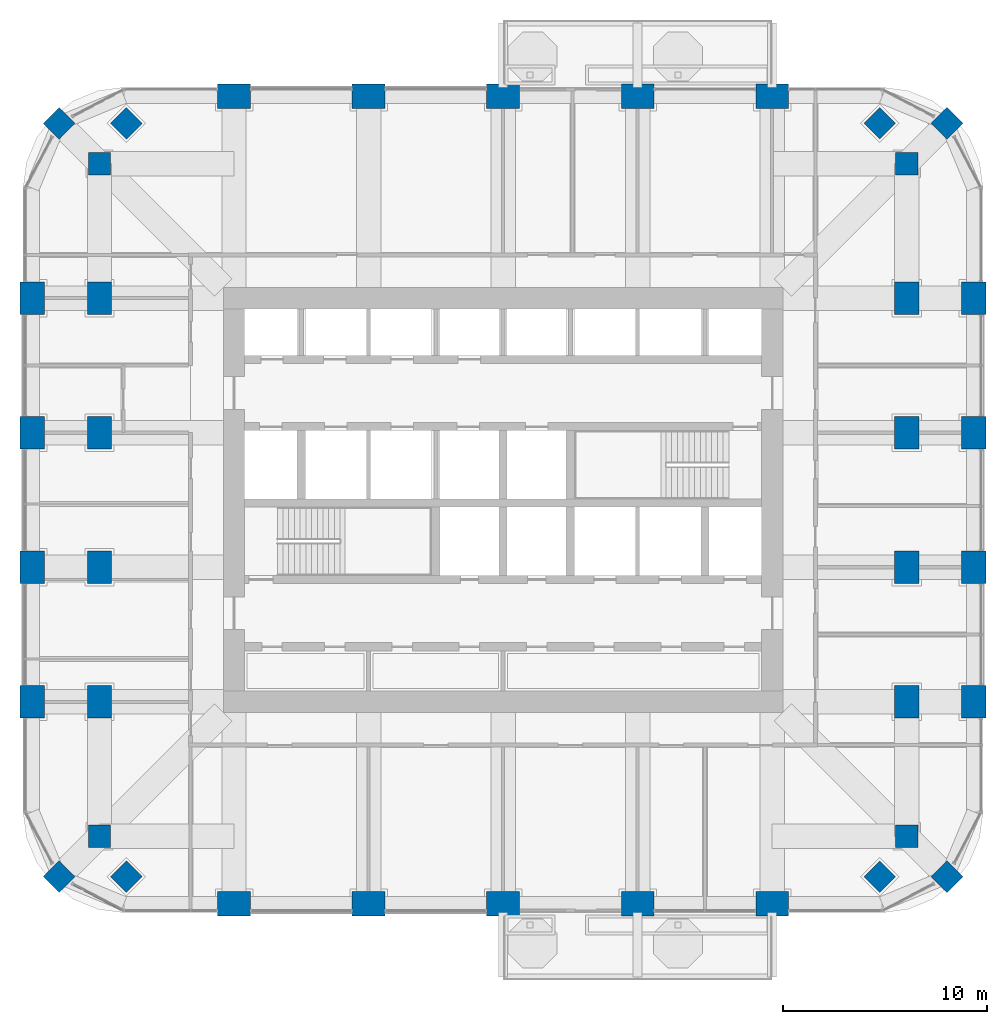
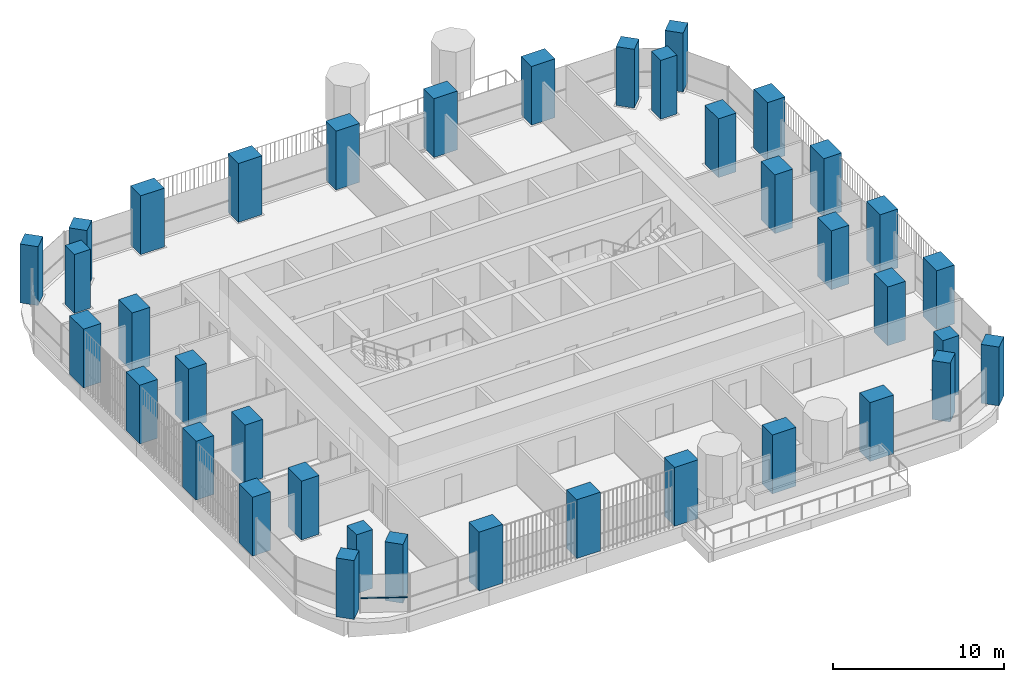
# One storey, part 1 of 20: 38 columns, 1 member, 1 element without a shape of its own.
"""IFC4 building model written with IfcOpenShell, lengths in metres."""

from ifc_helpers import new_model, si_unit, direction, frame, origin, origin_2d, place, context, subcontext, project, spatial, rectangle, extrude, material, material_profile, profile_set, type_object, element, aggregate, save


model = new_model("IFC4")

# Units and contexts
model_context = context("Model", 3, precision=1e-05, world=origin(), true_north=direction((0.0, 1.0)))
body_context = subcontext(model_context, "Body", "Model", "MODEL_VIEW")
ifc_project = project(units=[si_unit("LENGTHUNIT", "METRE"), si_unit("AREAUNIT", "SQUARE_METRE"), si_unit("VOLUMEUNIT", "CUBIC_METRE"), si_unit("PLANEANGLEUNIT", "RADIAN"), si_unit("MASSUNIT", "GRAM", prefix="KILO")], contexts=[model_context])

# Site, building, storey
site_placement = place(None, origin())
site = spatial("IfcSite", under=ifc_project, at=site_placement, CompositionType="ELEMENT")
building_placement = place(site_placement, origin())
building = spatial("IfcBuilding", under=site, at=building_placement, Name="Cobogo Forest Laboratory Tower", CompositionType="ELEMENT")
storey_placement = place(building_placement, frame((0.0, 0.0, 189.300048828125)))
storey = spatial("IfcBuildingStorey", under=building, at=storey_placement, Name="L43", CompositionType="ELEMENT", Elevation=189.300048828125)

# Columns
ifc_material_1 = material(Name="Concrete HA-50 (C50/60)", Category="concrete")
ifc_material_profile_1 = material_profile(ifc_material_1, rectangle(XDim=1.60009765625, YDim=1.199951171875, at=origin_2d()), Name="RC 1200x1600")
ifc_profile_set_1 = profile_set([ifc_material_profile_1], Name="Concrete HA-50 (C50/60)")
column_type_1 = type_object("IfcColumnType", Name="Blade column 1200x1600", PredefinedType="COLUMN", material=ifc_profile_set_1)
for number, where, z_axis, x_axis, name in (
    (1, (13.199951171875, 3.300048828125, 0.0), (0.0, 0.0, 1.0), (1.0, 0.0, 0.0), "Column 3-A.1 L43"),
    (2, (19.800048828125, 3.300048828125, 0.0), (0.0, 0.0, 1.0), (1.0, 0.0, 0.0), "Column 4-A.1 L43"),
    (3, (26.39990234375, 3.300048828125, 0.0), (0.0, 0.0, 1.0), (1.0, 0.0, 0.0), "Column 5-A.1 L43"),
    (4, (33.0, 3.300048828125, 0.0), (0.0, 0.0, 1.0), (1.0, 0.0, 0.0), "Column 6-A.1 L43"),
    (5, (39.60009765625, 3.300048828125, 0.0), (0.0, 0.0, 1.0), (1.0, 0.0, 0.0), "Column 7-A.1 L43"),
    (6, (3.300048828125, 13.199951171875, 0.0), (0.0, 0.0, 1.0), (0.0, 1.0, 0.0), "Column 1.1-C L43"),
    (7, (49.5, 13.199951171875, 0.0), (0.0, 0.0, 1.0), (0.0, 1.0, 0.0), "Column 8.1-C L43"),
    (8, (3.300048828125, 19.800048828125, 0.0), (0.0, 0.0, 1.0), (0.0, 1.0, 0.0), "Column 1.1-D L43"),
    (9, (49.5, 19.800048828125, 0.0), (0.0, 0.0, 1.0), (0.0, 1.0, 0.0), "Column 8.1-D L43"),
    (10, (3.300048828125, 26.39990234375, 0.0), (0.0, 0.0, 1.0), (0.0, 1.0, 0.0), "Column 1.1-E L43"),
    (11, (49.5, 26.39990234375, 0.0), (0.0, 0.0, 1.0), (0.0, 1.0, 0.0), "Column 8.1-E L43"),
    (12, (3.300048828125, 33.0, 0.0), (0.0, 0.0, 1.0), (0.0, 1.0, 0.0), "Column 1.1-F L43"),
    (13, (49.5, 33.0, 0.0), (0.0, 0.0, 1.0), (0.0, 1.0, 0.0), "Column 8.1-F L43"),
    (14, (13.199951171875, 42.89990234375, 0.0), (0.0, 0.0, 1.0), (1.0, 0.0, 0.0), "Column 3-G.1 L43"),
    (15, (19.800048828125, 42.89990234375, 0.0), (0.0, 0.0, 1.0), (1.0, 0.0, 0.0), "Column 4-G.1 L43"),
    (16, (26.39990234375, 42.89990234375, 0.0), (0.0, 0.0, 1.0), (1.0, 0.0, 0.0), "Column 5-G.1 L43"),
    (17, (33.0, 42.89990234375, 0.0), (0.0, 0.0, 1.0), (1.0, 0.0, 0.0), "Column 6-G.1 L43"),
    (18, (39.60009765625, 42.89990234375, 0.0), (0.0, 0.0, 1.0), (1.0, 0.0, 0.0), "Column 7-G.1 L43"),
    (19, (6.60009765625, 13.199951171875, 0.0), (0.0, 0.0, 1.0), (0.0, 1.0, 0.0), "Column 2-C-D L43"),
    (20, (46.199951171875, 13.199951171875, 0.0), (0.0, 0.0, 1.0), (0.0, 1.0, 0.0), "Column 8-C-D L43"),
    (21, (6.60009765625, 19.800048828125, 0.0), (0.0, 0.0, 1.0), (0.0, 1.0, 0.0), "Column 2-D-D L43"),
    (22, (46.199951171875, 19.800048828125, 0.0), (0.0, 0.0, 1.0), (0.0, 1.0, 0.0), "Column 8-D-D L43"),
    (23, (6.60009765625, 26.39990234375, 0.0), (0.0, 0.0, 1.0), (0.0, 1.0, 0.0), "Column 2-E-D L43"),
    (24, (46.199951171875, 26.39990234375, 0.0), (0.0, 0.0, 1.0), (0.0, 1.0, 0.0), "Column 8-E-D L43"),
    (25, (6.60009765625, 33.0, 0.0), (0.0, 0.0, 1.0), (0.0, 1.0, 0.0), "Column 2-F-D L43"),
    (26, (46.199951171875, 33.0, 0.0), (0.0, 0.0, 1.0), (0.0, 1.0, 0.0), "Column 8-F-D L43"),
):
    element("IfcColumn", number, at=place(storey_placement, frame(where, z_axis=z_axis, x_axis=x_axis)), inside=storey, type_object=column_type_1, Name=name, PredefinedType="COLUMN", context=body_context, shape_type="SweptSolid", body=[
        extrude(rectangle(XDim=1.60009765625, YDim=1.199951171875, at=origin_2d()), origin(), (0.0, 0.0, 1.0), 4.199951171875),
    ])
ifc_material_profile_2 = material_profile(ifc_material_1, rectangle(XDim=1.10009765625, YDim=1.10009765625, at=origin_2d()), Name="RC 1100x1100")
ifc_profile_set_2 = profile_set([ifc_material_profile_2], Name="Concrete HA-50 (C50/60)")
column_type_2 = type_object("IfcColumnType", Name="Column 1100x1100", PredefinedType="COLUMN", material=ifc_profile_set_2)
for number, where, z_axis, x_axis, name in (
    (27, (4.617919921875, 4.617919921875, 0.0), (0.0, 0.0, 1.0), (0.707106781187, 0.707106781187, 0.0), "Column CNR-SW L43"),
    (28, (48.181884765625, 4.617919921875, 0.0), (0.0, 0.0, 1.0), (0.707106781187, 0.707106781187, 0.0), "Column CNR-SE L43"),
    (29, (4.617919921875, 41.58203125, 0.0), (0.0, 0.0, 1.0), (0.707106781187, 0.707106781187, 0.0), "Column CNR-NW L43"),
    (30, (48.181884765625, 41.58203125, 0.0), (0.0, 0.0, 1.0), (0.707106781187, 0.707106781187, 0.0), "Column CNR-NE L43"),
    (31, (6.60009765625, 6.60009765625, 0.0), (0.0, 0.0, 1.0), (1.0, 0.0, 0.0), "Column 2-B L43"),
    (32, (46.199951171875, 6.60009765625, 0.0), (0.0, 0.0, 1.0), (1.0, 0.0, 0.0), "Column 8-B L43"),
    (33, (6.60009765625, 39.60009765625, 0.0), (0.0, 0.0, 1.0), (1.0, 0.0, 0.0), "Column 2-G L43"),
    (34, (46.199951171875, 39.60009765625, 0.0), (0.0, 0.0, 1.0), (1.0, 0.0, 0.0), "Column 8-G L43"),
    (35, (7.91796875, 4.617919921875, 0.0), (0.0, 0.0, 1.0), (0.707106781187, 0.707106781187, 0.0), "Column CNR-SW-D L43"),
    (36, (44.882080078125, 4.617919921875, 0.0), (0.0, 0.0, 1.0), (0.707106781187, 0.707106781187, 0.0), "Column CNR-SE-D L43"),
    (37, (7.91796875, 41.58203125, 0.0), (0.0, 0.0, 1.0), (0.707106781187, 0.707106781187, 0.0), "Column CNR-NW-D L43"),
    (38, (44.882080078125, 41.58203125, 0.0), (0.0, 0.0, 1.0), (0.707106781187, 0.707106781187, 0.0), "Column CNR-NE-D L43"),
):
    element("IfcColumn", number, at=place(storey_placement, frame(where, z_axis=z_axis, x_axis=x_axis)), inside=storey, type_object=column_type_2, Name=name, PredefinedType="COLUMN", context=body_context, shape_type="SweptSolid", body=[
        extrude(rectangle(XDim=1.10009765625, YDim=1.10009765625, at=origin_2d()), origin(), (0.0, 0.0, 1.0), 4.199951171875),
    ])

# Curtain wall, member
ifc_material_2 = material(Name="Aluminium curtain wall", Category="aluminium")
curtain_wall_type = type_object("IfcCurtainWallType", Name="CW-2 unitised curtain wall, solar control glazing, laboratory floors zones C and D", PredefinedType="USERDEFINED", material=ifc_material_2)
curtain_wall_placement = place(storey_placement, origin())
curtain_wall = element("IfcCurtainWall", 39, at=curtain_wall_placement, inside=storey, type_object=curtain_wall_type, Name="Curtain wall 30 L43", ObjectType="UNITISED CURTAIN WALL", PredefinedType="USERDEFINED")
ifc_material_3 = material(Name="Aluminium transom", Category="aluminium")
ifc_material_profile_3 = material_profile(ifc_material_3, rectangle(XDim=0.1201171875, YDim=0.06005859375, at=origin_2d()), Name="AL 60x120")
ifc_profile_set_3 = profile_set([ifc_material_profile_3], Name="Aluminium transom")
member_type = type_object("IfcMemberType", Name="TR-1 aluminium transom 60x120", PredefinedType="USERDEFINED", material=ifc_profile_set_3)
member_placement = place(storey_placement, frame((5.302001953125, 4.259521484375, 1.050048828125), z_axis=(0.885665294301, -0.464324225592, 0.0), x_axis=(0.464324225592, 0.885665294301, 0.0)))
member = element("IfcMember", 40, at=member_placement, type_object=member_type, Name="CW-2 transom 1.1", ObjectType="TRANSOM", PredefinedType="USERDEFINED", context=body_context, shape_type="SweptSolid", body=[
    extrude(rectangle(XDim=0.1201171875, YDim=0.06005859375, at=origin_2d()), origin(), (0.0, 0.0, 1.0), 2.760498046875),
])
aggregate(curtain_wall, [member])

save(model, "model.ifc")
